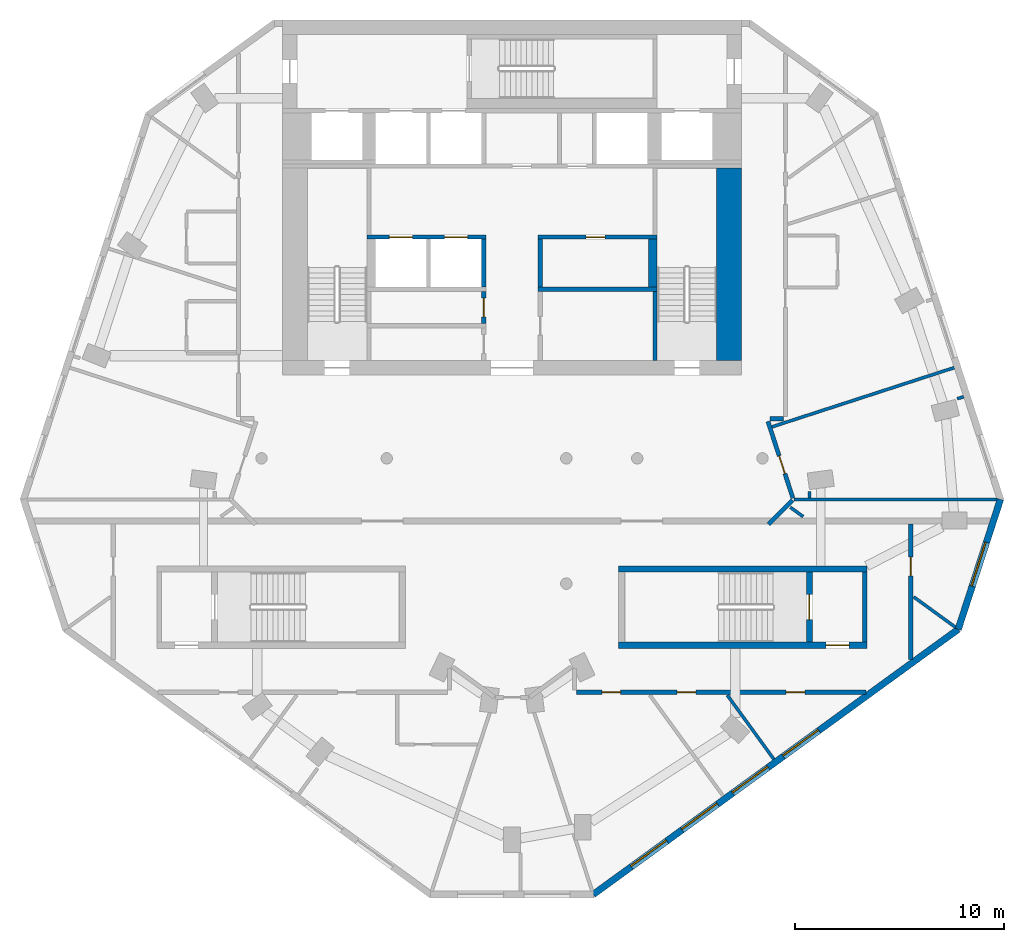
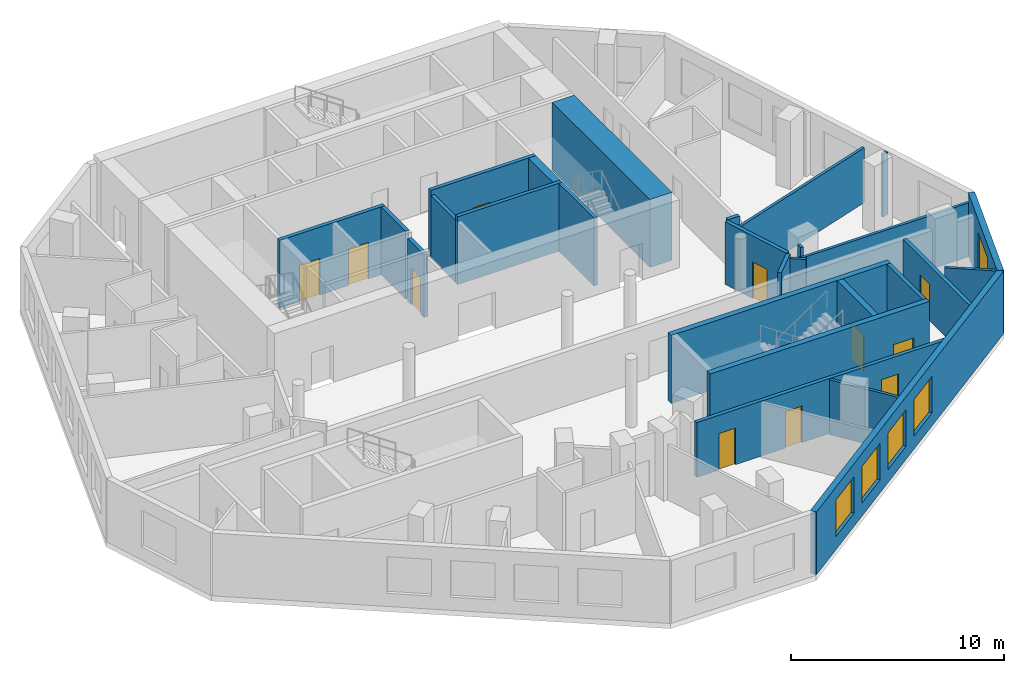
# One storey, part 4 of 8: 27 walls, 11 doors, 5 windows, 16 openings.
"""IFC4 building model written with IfcOpenShell, lengths in metres."""

import ifcopenshell
import ifcopenshell.guid

model = None  # the IFC model being written
_history = None  # IfcOwnerHistory: only IFC2X3 demands one
_inside = {}  # id of a spatial element -> (the spatial element, [elements in it])
_under = {}  # id of a project, library or spatial element -> (it, [spatial elements below it])
_declared = {}  # id of a project -> (the project, [libraries it declares])
_typed = {}  # id of a type object -> (the type object, [elements of that type])
_made_of = {}  # id of a material, layer set ... -> (it, [elements and type objects made of it])


def new_model(schema):
    """Start an empty IFC model of exactly this schema.

    Asked for "IFC4X3", IfcOpenShell would pick the latest addendum, in which some entities
    have other attributes; the version numbers below select the first issue.
    IFC2X3 requires an IfcOwnerHistory on every rooted entity: one is made here for all.
    """
    global model, _history
    if schema == "IFC4X3":
        model = ifcopenshell.file(schema_version=(4, 3, 0, 0))
    else:
        model = ifcopenshell.file(schema=schema)
    _inside.clear()
    _under.clear()
    _declared.clear()
    _typed.clear()
    _made_of.clear()
    _history = None
    if model.schema == "IFC2X3":
        org = make("IfcOrganization", Name="unknown")
        user = make(
            "IfcPersonAndOrganization",
            ThePerson=make("IfcPerson", FamilyName="unknown"),
            TheOrganization=org,
        )
        app = make(
            "IfcApplication",
            ApplicationDeveloper=org,
            Version="unknown",
            ApplicationFullName="unknown",
            ApplicationIdentifier="unknown",
        )
        _history = make(
            "IfcOwnerHistory",
            OwningUser=user,
            OwningApplication=app,
            ChangeAction="ADDED",
            CreationDate=0,
        )
    return model


def make(cls, **values):
    """One entity of the class cls with the attributes given. An attribute that is None is left unset."""
    return model.create_entity(
        cls, **{name: value for name, value in values.items() if value is not None}
    )


def rooted(cls, **values):
    """An entity with a GlobalId (a new one), such as an element, a storey or a relation."""
    return make(cls, GlobalId=ifcopenshell.guid.new(), OwnerHistory=_history, **values)


def si_unit(unit_type, name, prefix=None):
    """IfcSIUnit, for example si_unit("LENGTHUNIT", "METRE", prefix="MILLI")."""
    return make("IfcSIUnit", UnitType=unit_type, Prefix=prefix, Name=name)


def assignment(units):
    """IfcUnitAssignment: the units of a project."""
    return None if units is None else make("IfcUnitAssignment", Units=units)


def point(xyz):
    """IfcCartesianPoint."""
    return None if xyz is None else make("IfcCartesianPoint", Coordinates=xyz)


def direction(xyz):
    """IfcDirection."""
    return None if xyz is None else make("IfcDirection", DirectionRatios=xyz)


def frame(location, z_axis=None, x_axis=None):
    """IfcAxis2Placement3D, a coordinate frame: its origin and axes. An axis left out is left unset."""
    return make(
        "IfcAxis2Placement3D",
        Location=point(location),
        Axis=direction(z_axis),
        RefDirection=direction(x_axis),
    )


def frame_2d(location, x_axis=None):
    """IfcAxis2Placement2D, a coordinate frame in the plane: its origin and x axis."""
    return make(
        "IfcAxis2Placement2D", Location=point(location), RefDirection=direction(x_axis)
    )


def origin():
    """The frame at (0, 0, 0) with its axes left unset."""
    return frame((0.0, 0.0, 0.0))


def place(relative_to, where):
    """IfcLocalPlacement: puts the frame where relative to a parent placement (None: the world)."""
    return make(
        "IfcLocalPlacement", PlacementRelTo=relative_to, RelativePlacement=where
    )


def context(
    kind, dimensions, precision=None, world=None, true_north=None, identifier=None
):
    """IfcGeometricRepresentationContext, for example the 3D "Model" context."""
    return make(
        "IfcGeometricRepresentationContext",
        ContextIdentifier=identifier,
        ContextType=kind,
        CoordinateSpaceDimension=dimensions,
        Precision=precision,
        WorldCoordinateSystem=world,
        TrueNorth=true_north,
    )


def subcontext(parent, identifier, kind, view, scale=None):
    """IfcGeometricRepresentationSubContext, for example "Body" below "Model"."""
    return make(
        "IfcGeometricRepresentationSubContext",
        ContextIdentifier=identifier,
        ContextType=kind,
        ParentContext=parent,
        TargetScale=scale,
        TargetView=view,
    )


def project(units=None, contexts=None):
    """IfcProject with its units and contexts."""
    return rooted(
        "IfcProject",
        Name="project",
        RepresentationContexts=contexts,
        UnitsInContext=assignment(units),
    )


def spatial(cls, under=None, at=None, **own):
    """A site, building, storey or space (cls), placed at a placement, below another one or the project."""
    s = rooted(cls, ObjectPlacement=at, **own)
    if under is not None:
        _under.setdefault(under.id(), (under, []))[1].append(s)
    return s


def profile(cls, at=None, kind="AREA", **sizes):
    """A parametric profile (cls). Its sizes go by their IFC names, for example OverallWidth=200.0."""
    return make(cls, ProfileType=kind, Position=at, **sizes)


def rectangle(**sizes):
    """IfcRectangleProfileDef."""
    return profile("IfcRectangleProfileDef", **sizes)


def extrude(swept, where, along, depth):
    """IfcExtrudedAreaSolid: the profile swept, set in the frame where, extruded along a direction by depth."""
    return make(
        "IfcExtrudedAreaSolid",
        SweptArea=swept,
        Position=where,
        ExtrudedDirection=direction(along),
        Depth=depth,
    )


def shape(context_of_items, identifier, shape_type, items):
    """IfcShapeRepresentation: the items that make up one representation, for example the "Body"."""
    return make(
        "IfcShapeRepresentation",
        ContextOfItems=context_of_items,
        RepresentationIdentifier=identifier,
        RepresentationType=shape_type,
        Items=items,
    )


def material(Name=None, Category=None):
    """IfcMaterial."""
    return make("IfcMaterial", Name=Name, Category=Category)


def layer(
    of_material, thickness, ventilated=None, Name=None, Category=None, Priority=None
):
    """IfcMaterialLayer: one layer of a wall or slab, of a material (None: an air gap)."""
    return make(
        "IfcMaterialLayer",
        Material=of_material,
        LayerThickness=thickness,
        IsVentilated=ventilated,
        Name=Name,
        Category=Category,
        Priority=Priority,
    )


def layer_set(layers, Name=None):
    """IfcMaterialLayerSet."""
    return make("IfcMaterialLayerSet", MaterialLayers=layers, LayerSetName=Name)


def made_of(thing, what):
    """Note that an element or type object is made of a material, layer set ...; save() writes the relation."""
    if what is not None:
        _made_of.setdefault(what.id(), (what, []))[1].append(thing)
    return thing


def type_object(cls, material=None, **own):
    """A type object (cls), such as IfcWallType, which elements share."""
    return made_of(rooted(cls, **own), material)


def element(
    cls,
    number,
    at=None,
    inside=None,
    cuts=None,
    type_object=None,
    material=None,
    context=None,
    identifier="Body",
    shape_type=None,
    held_by="IfcProductDefinitionShape",
    body=None,
    shapes=None,
    **own,
):
    """One element of the class cls, such as IfcWall. Its Tag is "e" and its number.

    at: its placement. inside: the storey or other place that contains it. cuts: it is an
    opening in that element (IfcRelVoidsElement). A single representation is given by context,
    identifier, shape_type and body (its items); several are given by shapes. held_by: the class
    of the entity that holds the representations. save() writes the other relations.
    """
    e = rooted(cls, Tag="e%d" % number, ObjectPlacement=at, **own)
    if body is not None:
        shapes = [shape(context, identifier, shape_type, body)]
    if shapes is not None:
        e.Representation = make(held_by, Representations=shapes)
    if inside is not None:
        _inside.setdefault(inside.id(), (inside, []))[1].append(e)
    if cuts is not None:
        rooted(
            "IfcRelVoidsElement", RelatingBuildingElement=cuts, RelatedOpeningElement=e
        )
    if type_object is not None:
        _typed.setdefault(type_object.id(), (type_object, []))[1].append(e)
    return made_of(e, material)


def fill(opening, filler):
    """IfcRelFillsElement: the door or window that sits in an opening."""
    return rooted(
        "IfcRelFillsElement",
        RelatingOpeningElement=opening,
        RelatedBuildingElement=filler,
    )


def aggregate(whole, parts):
    """IfcRelAggregates: a whole, such as a stair, and the parts it consists of."""
    return rooted("IfcRelAggregates", RelatingObject=whole, RelatedObjects=parts)


def save(model, path):
    """Write the relations noted so far, then the file.

    IfcRelAggregates (storeys below a building ...), IfcRelContainedInSpatialStructure (elements
    in a storey), IfcRelDefinesByType, IfcRelAssociatesMaterial and IfcRelDeclares: one each for
    every whole, place, type object, material and project.
    """
    for whole, parts in _under.values():
        aggregate(whole, parts)
    for where, things in _inside.values():
        rooted(
            "IfcRelContainedInSpatialStructure",
            RelatedElements=things,
            RelatingStructure=where,
        )
    for kind, things in _typed.values():
        rooted("IfcRelDefinesByType", RelatedObjects=things, RelatingType=kind)
    for what, things in _made_of.values():
        rooted("IfcRelAssociatesMaterial", RelatedObjects=things, RelatingMaterial=what)
    for by, libraries in _declared.values():
        rooted("IfcRelDeclares", RelatingContext=by, RelatedDefinitions=libraries)
    model.write(path)


model = new_model("IFC4")

# Units and contexts
model_context = context("Model", 3, precision=1e-05, world=origin(), true_north=direction((0.0, 1.0)))
body_context = subcontext(model_context, "Body", "Model", "MODEL_VIEW")
ifc_project = project(units=[si_unit("LENGTHUNIT", "METRE"), si_unit("AREAUNIT", "SQUARE_METRE"), si_unit("VOLUMEUNIT", "CUBIC_METRE"), si_unit("PLANEANGLEUNIT", "RADIAN"), si_unit("MASSUNIT", "GRAM", prefix="KILO")], contexts=[model_context])

# Site, building, storey
site_placement = place(None, origin())
site = spatial("IfcSite", under=ifc_project, at=site_placement, CompositionType="ELEMENT")
building_placement = place(site_placement, origin())
building = spatial("IfcBuilding", under=site, at=building_placement, Name="White Candle Pilgrim Tower", CompositionType="ELEMENT")
storey_placement = place(building_placement, frame((0.0, 0.0, 263.89990234375)))
storey = spatial("IfcBuildingStorey", under=building, at=storey_placement, Name="L62", CompositionType="ELEMENT", Elevation=263.89990234375)

# Walls
ifc_material_1 = material(Name="Concrete C50/60", Category="concrete")
ifc_layer_1 = layer(ifc_material_1, 0.199951171875)
ifc_layer_set_1 = layer_set([ifc_layer_1], Name="Core wall 200 mm Concrete C50/60")
wall_type_1 = type_object("IfcWallType", Name="Core wall 200 mm Concrete C50/60", PredefinedType="SHEAR", material=ifc_layer_set_1)
wall_1_placement = place(storey_placement, frame((86.89990234375, 58.199951171875, 0.0), z_axis=(0.0, 0.0, 1.0), x_axis=(0.0, 1.0, 0.0)))
element("IfcWall", 1, at=wall_1_placement, inside=storey, type_object=wall_type_1, Name="WL-L62-C08", PredefinedType="SHEAR", context=body_context, shape_type="SweptSolid", body=[
    extrude(rectangle(XDim=3.35009765625, YDim=0.199951171875, at=frame_2d((1.675048828125, 0.0))), origin(), (0.0, 0.0, 1.0), 3.900146484375),
])
ifc_material_2 = material(Name="Gypsum board on steel studs", Category="steel")
ifc_layer_2 = layer(ifc_material_2, 0.199951171875)
ifc_layer_set_2 = layer_set([ifc_layer_2], Name="Corridor wall 200 mm EI 45")
wall_type_2 = type_object("IfcWallType", Name="Corridor wall 200 mm EI 45", PredefinedType="PARTITIONING", material=ifc_layer_set_2)
wall_2_placement = place(storey_placement, frame((83.0, 68.89990234375, 0.0), z_axis=(0.0, 0.0, 1.0), x_axis=(-1.0, 0.0, 0.0)))
element("IfcWall", 2, at=wall_2_placement, inside=storey, type_object=wall_type_2, Name="WL-L62-P008", PredefinedType="PARTITIONING", context=body_context, shape_type="SweptSolid", body=[
    extrude(rectangle(XDim=0.64208984375, YDim=0.199951171875, at=frame_2d((0.321044921875, 0.0))), origin(), (0.0, 0.0, 1.0), 3.60009765625),
])

# Wall, opening, door
wall_3_placement = place(storey_placement, frame((82.2626953125, 68.76904296875, 0.0), z_axis=(0.0, 0.0, 1.0), x_axis=(0.309050338142, -0.951045681602, 0.0)))
wall_3 = element("IfcWall", 3, at=wall_3_placement, inside=storey, type_object=wall_type_2, Name="WL-L62-P009", PredefinedType="PARTITIONING", context=body_context, shape_type="SweptSolid", body=[
    extrude(rectangle(XDim=3.862060546875, YDim=0.199951171875, at=frame_2d((1.93115234375, 0.0))), origin(), (0.0, 0.0, 1.0), 3.60009765625),
])
opening_1_placement = place(wall_3_placement, frame((1.731201171875, 0.0, 0.0)))
opening_1 = element("IfcOpeningElement", 4, at=opening_1_placement, cuts=wall_3, Name="Opening T19-121", PredefinedType="OPENING", context=body_context, shape_type="SweptSolid", body=[
    extrude(rectangle(XDim=0.89990234375, YDim=2.10009765625, at=frame_2d((0.449951171875, 1.050048828125))), frame((0.0, 0.10986328125, 0.0), z_axis=(0.0, -1.0, 0.0), x_axis=(1.0, 0.0, 0.0)), (0.0, 0.0, 1.0), 0.219970703125),
])
ifc_material_3 = material(Name="Steel door leaf", Category="steel")
door_type_1 = type_object("IfcDoorType", Name="Fire door 900 x 2100 EI 30", OperationType="NOTDEFINED", PredefinedType="DOOR", material=ifc_material_3)
door_1_placement = place(opening_1_placement, origin())
door_1 = element("IfcDoor", 5, at=door_1_placement, inside=storey, type_object=door_type_1, Name="Door T19-121", OperationType="SINGLE_SWING_LEFT", OverallHeight=2.10009765625, OverallWidth=0.89990234375, PredefinedType="DOOR", context=body_context, shape_type="SweptSolid", body=[
    extrude(rectangle(XDim=0.89990234375, YDim=2.10009765625, at=frame_2d((0.449951171875, 1.050048828125))), frame((0.0, 0.02490234375, 0.0), z_axis=(0.0, -1.0, 0.0), x_axis=(1.0, 0.0, 0.0)), (0.0, 0.0, 1.0), 0.050048828125),
])
fill(opening_1, door_1)

# Wall
wall_4_placement = place(storey_placement, frame((83.431884765625, 64.994384765625, 0.0), z_axis=(0.0, 0.0, 1.0), x_axis=(-0.70635124515, -0.707861510802, 0.0)))
element("IfcWall", 6, at=wall_4_placement, inside=storey, type_object=wall_type_2, Name="WL-L62-P010", PredefinedType="PARTITIONING", context=body_context, shape_type="SweptSolid", body=[
    extrude(rectangle(XDim=1.616455078125, YDim=0.199951171875, at=frame_2d((0.80810546875, 0.0))), origin(), (0.0, 0.0, 1.0), 3.60009765625),
])

# Wall, opening, door
wall_5_placement = place(storey_placement, frame((89.10009765625, 63.85009765625, 0.0), z_axis=(0.0, 0.0, 1.0), x_axis=(0.0, -1.0, 0.0)))
wall_5 = element("IfcWall", 7, at=wall_5_placement, inside=storey, type_object=wall_type_2, Name="WL-L62-P011", PredefinedType="PARTITIONING", context=body_context, shape_type="SweptSolid", body=[
    extrude(rectangle(XDim=6.49560546875, YDim=0.199951171875, at=frame_2d((3.247802734375, 0.0))), origin(), (0.0, 0.0, 1.0), 3.150146484375),
])
opening_2_placement = place(wall_5_placement, frame((1.580810546875, 0.0, 0.0)))
opening_2 = element("IfcOpeningElement", 8, at=opening_2_placement, cuts=wall_5, Name="Opening T19-122", PredefinedType="OPENING", context=body_context, shape_type="SweptSolid", body=[
    extrude(rectangle(XDim=0.89990234375, YDim=2.10009765625, at=frame_2d((0.449951171875, 1.050048828125))), frame((0.0, 0.10986328125, 0.0), z_axis=(0.0, -1.0, 0.0), x_axis=(1.0, 0.0, 0.0)), (0.0, 0.0, 1.0), 0.219970703125),
])
door_2_placement = place(opening_2_placement, origin())
door_2 = element("IfcDoor", 9, at=door_2_placement, inside=storey, type_object=door_type_1, Name="Door T19-122", OperationType="SINGLE_SWING_RIGHT", OverallHeight=2.10009765625, OverallWidth=0.89990234375, PredefinedType="DOOR", context=body_context, shape_type="SweptSolid", body=[
    extrude(rectangle(XDim=0.89990234375, YDim=2.10009765625, at=frame_2d((0.449951171875, 1.050048828125))), frame((0.0, 0.02490234375, 0.0), z_axis=(0.0, -1.0, 0.0), x_axis=(1.0, 0.0, 0.0)), (0.0, 0.0, 1.0), 0.050048828125),
])
fill(opening_2, door_2)

# Wall, openings, doors
wall_6_placement = place(storey_placement, frame((86.96044921875, 55.800048828125, 0.0), z_axis=(0.0, 0.0, 1.0), x_axis=(-1.0, 0.0, 0.0)))
wall_6 = element("IfcWall", 10, at=wall_6_placement, inside=storey, type_object=wall_type_2, Name="WL-L62-P012", PredefinedType="PARTITIONING", context=body_context, shape_type="SweptSolid", body=[
    extrude(rectangle(XDim=13.8603515625, YDim=0.199951171875, at=frame_2d((6.93017578125, 0.0))), origin(), (0.0, 0.0, 1.0), 3.150146484375),
])
opening_3_placement = place(wall_6_placement, frame((11.759521484375, 0.0, 0.0)))
opening_3 = element("IfcOpeningElement", 11, at=opening_3_placement, cuts=wall_6, Name="Opening T19-107", PredefinedType="OPENING", context=body_context, shape_type="SweptSolid", body=[
    extrude(rectangle(XDim=0.89990234375, YDim=2.10009765625, at=frame_2d((0.449951171875, 1.050048828125))), frame((0.0, 0.10986328125, 0.0), z_axis=(0.0, -1.0, 0.0), x_axis=(1.0, 0.0, 0.0)), (0.0, 0.0, 1.0), 0.219970703125),
])
opening_4_placement = place(wall_6_placement, frame((8.15478515625, 0.0, 0.0)))
opening_4 = element("IfcOpeningElement", 12, at=opening_4_placement, cuts=wall_6, Name="Opening T19-108", PredefinedType="OPENING", context=body_context, shape_type="SweptSolid", body=[
    extrude(rectangle(XDim=0.89990234375, YDim=2.10009765625, at=frame_2d((0.449951171875, 1.050048828125))), frame((0.0, 0.10986328125, 0.0), z_axis=(0.0, -1.0, 0.0), x_axis=(1.0, 0.0, 0.0)), (0.0, 0.0, 1.0), 0.219970703125),
])
opening_5_placement = place(wall_6_placement, frame((2.92529296875, 0.0, 0.0)))
opening_5 = element("IfcOpeningElement", 13, at=opening_5_placement, cuts=wall_6, Name="Opening T19-109", PredefinedType="OPENING", context=body_context, shape_type="SweptSolid", body=[
    extrude(rectangle(XDim=0.89990234375, YDim=2.10009765625, at=frame_2d((0.449951171875, 1.050048828125))), frame((0.0, 0.10986328125, 0.0), z_axis=(0.0, -1.0, 0.0), x_axis=(1.0, 0.0, 0.0)), (0.0, 0.0, 1.0), 0.219970703125),
])
door_3_placement = place(opening_3_placement, origin())
door_3 = element("IfcDoor", 14, at=door_3_placement, inside=storey, type_object=door_type_1, Name="Door T19-107", OperationType="SINGLE_SWING_LEFT", OverallHeight=2.10009765625, OverallWidth=0.89990234375, PredefinedType="DOOR", context=body_context, shape_type="SweptSolid", body=[
    extrude(rectangle(XDim=0.89990234375, YDim=2.10009765625, at=frame_2d((0.449951171875, 1.050048828125))), frame((0.0, 0.02490234375, 0.0), z_axis=(0.0, -1.0, 0.0), x_axis=(1.0, 0.0, 0.0)), (0.0, 0.0, 1.0), 0.050048828125),
])
fill(opening_3, door_3)
door_4_placement = place(opening_4_placement, origin())
door_4 = element("IfcDoor", 15, at=door_4_placement, inside=storey, type_object=door_type_1, Name="Door T19-108", OperationType="SINGLE_SWING_RIGHT", OverallHeight=2.10009765625, OverallWidth=0.89990234375, PredefinedType="DOOR", context=body_context, shape_type="SweptSolid", body=[
    extrude(rectangle(XDim=0.89990234375, YDim=2.10009765625, at=frame_2d((0.449951171875, 1.050048828125))), frame((0.0, 0.02490234375, 0.0), z_axis=(0.0, -1.0, 0.0), x_axis=(1.0, 0.0, 0.0)), (0.0, 0.0, 1.0), 0.050048828125),
])
fill(opening_4, door_4)
door_5_placement = place(opening_5_placement, origin())
door_5 = element("IfcDoor", 16, at=door_5_placement, inside=storey, type_object=door_type_1, Name="Door T19-109", OperationType="SINGLE_SWING_LEFT", OverallHeight=2.10009765625, OverallWidth=0.89990234375, PredefinedType="DOOR", context=body_context, shape_type="SweptSolid", body=[
    extrude(rectangle(XDim=0.89990234375, YDim=2.10009765625, at=frame_2d((0.449951171875, 1.050048828125))), frame((0.0, 0.02490234375, 0.0), z_axis=(0.0, -1.0, 0.0), x_axis=(1.0, 0.0, 0.0)), (0.0, 0.0, 1.0), 0.050048828125),
])
fill(opening_5, door_5)

# Wall, openings, windows
ifc_material_4 = material(Name="Precast concrete C40/50", Category="concrete")
ifc_layer_3 = layer(ifc_material_4, 0.320068359375)
ifc_layer_set_3 = layer_set([ifc_layer_3], Name="Facade wall EW1 precast concrete C40/50 pier wall with timber-lined reveals")
wall_type_3 = type_object("IfcWallType", Name="Facade wall EW1 precast concrete C40/50 pier wall with timber-lined reveals", PredefinedType="SOLIDWALL", material=ifc_layer_set_3)
wall_7_placement = place(storey_placement, frame((73.894287109375, 46.109130859375, 0.0), z_axis=(0.0, 0.0, 1.0), x_axis=(0.809016403759, 0.587786065205, 0.0)))
wall_7 = element("IfcWall", 17, at=wall_7_placement, inside=storey, type_object=wall_type_3, Name="Facade wall L62 SE", PredefinedType="SOLIDWALL", context=body_context, shape_type="SweptSolid", body=[
    extrude(rectangle(XDim=21.611083984375, YDim=0.320068359375, at=frame_2d((10.8056640625, 0.0))), origin(), (0.0, 0.0, 1.0), 3.60009765625),
])
opening_6_placement = place(wall_7_placement, frame((2.255615234375, 0.0, 0.75)))
opening_6 = element("IfcOpeningElement", 18, at=opening_6_placement, cuts=wall_7, Name="Opening W3", PredefinedType="OPENING", context=body_context, shape_type="SweptSolid", body=[
    extrude(rectangle(XDim=2.10009765625, YDim=2.10009765625, at=frame_2d((1.050048828125, 1.050048828125))), frame((0.0, 0.169921875, 0.0), z_axis=(0.0, -1.0, 0.0), x_axis=(1.0, 0.0, 0.0)), (0.0, 0.0, 1.0), 0.340087890625),
])
opening_7_placement = place(wall_7_placement, frame((5.255615234375, 0.0, 0.75)))
opening_7 = element("IfcOpeningElement", 19, at=opening_7_placement, cuts=wall_7, Name="Opening W3", PredefinedType="OPENING", context=body_context, shape_type="SweptSolid", body=[
    extrude(rectangle(XDim=2.10009765625, YDim=2.10009765625, at=frame_2d((1.050048828125, 1.050048828125))), frame((0.0, 0.169921875, 0.0), z_axis=(0.0, -1.0, 0.0), x_axis=(1.0, 0.0, 0.0)), (0.0, 0.0, 1.0), 0.340087890625),
])
opening_8_placement = place(wall_7_placement, frame((8.255615234375, 0.0, 0.75)))
opening_8 = element("IfcOpeningElement", 20, at=opening_8_placement, cuts=wall_7, Name="Opening W3", PredefinedType="OPENING", context=body_context, shape_type="SweptSolid", body=[
    extrude(rectangle(XDim=2.10009765625, YDim=2.10009765625, at=frame_2d((1.050048828125, 1.050048828125))), frame((0.0, 0.169921875, 0.0), z_axis=(0.0, -1.0, 0.0), x_axis=(1.0, 0.0, 0.0)), (0.0, 0.0, 1.0), 0.340087890625),
])
opening_9_placement = place(wall_7_placement, frame((11.255615234375, 0.0, 0.75)))
opening_9 = element("IfcOpeningElement", 21, at=opening_9_placement, cuts=wall_7, Name="Opening W3", PredefinedType="OPENING", context=body_context, shape_type="SweptSolid", body=[
    extrude(rectangle(XDim=2.10009765625, YDim=2.10009765625, at=frame_2d((1.050048828125, 1.050048828125))), frame((0.0, 0.169921875, 0.0), z_axis=(0.0, -1.0, 0.0), x_axis=(1.0, 0.0, 0.0)), (0.0, 0.0, 1.0), 0.340087890625),
])
ifc_material_5 = material(Name="Timber frame with triple glazing", Category="wood")
window_type_1 = type_object("IfcWindowType", Name="Window W3 2100x2100 timber frame triple glazing", PartitioningType="SINGLE_PANEL", PredefinedType="WINDOW", material=ifc_material_5)
window_1_placement = place(opening_6_placement, origin())
window_1 = element("IfcWindow", 22, at=window_1_placement, inside=storey, type_object=window_type_1, Name="Window W3 L62 SE 1", OverallHeight=2.10009765625, OverallWidth=2.10009765625, PartitioningType="SINGLE_PANEL", PredefinedType="WINDOW", context=body_context, shape_type="SweptSolid", body=[
    extrude(rectangle(XDim=2.10009765625, YDim=2.10009765625, at=frame_2d((1.050048828125, 1.050048828125))), frame((0.0, 0.070068359375, 0.0), z_axis=(0.0, -1.0, 0.0), x_axis=(1.0, 0.0, 0.0)), (0.0, 0.0, 1.0), 0.06005859375),
])
fill(opening_6, window_1)
window_2_placement = place(opening_7_placement, origin())
window_2 = element("IfcWindow", 23, at=window_2_placement, inside=storey, type_object=window_type_1, Name="Window W3 L62 SE 2", OverallHeight=2.10009765625, OverallWidth=2.10009765625, PartitioningType="SINGLE_PANEL", PredefinedType="WINDOW", context=body_context, shape_type="SweptSolid", body=[
    extrude(rectangle(XDim=2.10009765625, YDim=2.10009765625, at=frame_2d((1.050048828125, 1.050048828125))), frame((0.0, 0.070068359375, 0.0), z_axis=(0.0, -1.0, 0.0), x_axis=(1.0, 0.0, 0.0)), (0.0, 0.0, 1.0), 0.06005859375),
])
fill(opening_7, window_2)
window_3_placement = place(opening_8_placement, origin())
window_3 = element("IfcWindow", 24, at=window_3_placement, inside=storey, type_object=window_type_1, Name="Window W3 L62 SE 3", OverallHeight=2.10009765625, OverallWidth=2.10009765625, PartitioningType="SINGLE_PANEL", PredefinedType="WINDOW", context=body_context, shape_type="SweptSolid", body=[
    extrude(rectangle(XDim=2.10009765625, YDim=2.10009765625, at=frame_2d((1.050048828125, 1.050048828125))), frame((0.0, 0.070068359375, 0.0), z_axis=(0.0, -1.0, 0.0), x_axis=(1.0, 0.0, 0.0)), (0.0, 0.0, 1.0), 0.06005859375),
])
fill(opening_8, window_3)
window_4_placement = place(opening_9_placement, origin())
window_4 = element("IfcWindow", 25, at=window_4_placement, inside=storey, type_object=window_type_1, Name="Window W3 L62 SE 4", OverallHeight=2.10009765625, OverallWidth=2.10009765625, PartitioningType="SINGLE_PANEL", PredefinedType="WINDOW", context=body_context, shape_type="SweptSolid", body=[
    extrude(rectangle(XDim=2.10009765625, YDim=2.10009765625, at=frame_2d((1.050048828125, 1.050048828125))), frame((0.0, 0.070068359375, 0.0), z_axis=(0.0, -1.0, 0.0), x_axis=(1.0, 0.0, 0.0)), (0.0, 0.0, 1.0), 0.06005859375),
])
fill(opening_9, window_4)

# Wall, opening, window
wall_8_placement = place(storey_placement, frame((91.3779296875, 58.811767578125, 0.0), z_axis=(0.0, 0.0, 1.0), x_axis=(0.309024511065, 0.951054073942, 0.0)))
wall_8 = element("IfcWall", 26, at=wall_8_placement, inside=storey, type_object=wall_type_3, Name="Facade wall L62 E chamfer", PredefinedType="SOLIDWALL", context=body_context, shape_type="SweptSolid", body=[
    extrude(rectangle(XDim=6.546142578125, YDim=0.320068359375, at=frame_2d((3.27294921875, 0.0))), origin(), (0.0, 0.0, 1.0), 3.60009765625),
])
opening_10_placement = place(wall_8_placement, frame((2.173095703125, 0.0, 0.75)))
opening_10 = element("IfcOpeningElement", 27, at=opening_10_placement, cuts=wall_8, Name="Opening W4", PredefinedType="OPENING", context=body_context, shape_type="SweptSolid", body=[
    extrude(rectangle(XDim=2.199951171875, YDim=2.10009765625, at=frame_2d((1.10009765625, 1.050048828125))), frame((0.0, 0.169921875, 0.0), z_axis=(0.0, -1.0, 0.0), x_axis=(1.0, 0.0, 0.0)), (0.0, 0.0, 1.0), 0.340087890625),
])
window_type_2 = type_object("IfcWindowType", Name="Window W4 2200x2100 timber frame triple glazing", PartitioningType="SINGLE_PANEL", PredefinedType="WINDOW", material=ifc_material_5)
window_5_placement = place(opening_10_placement, origin())
window_5 = element("IfcWindow", 28, at=window_5_placement, inside=storey, type_object=window_type_2, Name="Window W4 L62 E chamfer 1", OverallHeight=2.10009765625, OverallWidth=2.199951171875, PartitioningType="SINGLE_PANEL", PredefinedType="WINDOW", context=body_context, shape_type="SweptSolid", body=[
    extrude(rectangle(XDim=2.199951171875, YDim=2.10009765625, at=frame_2d((1.10009765625, 1.050048828125))), frame((0.0, 0.070068359375, 0.0), z_axis=(0.0, -1.0, 0.0), x_axis=(1.0, 0.0, 0.0)), (0.0, 0.0, 1.0), 0.06005859375),
])
fill(opening_10, window_5)

# Wall, opening, door
ifc_layer_4 = layer(ifc_material_2, 0.199951171875)
ifc_layer_set_4 = layer_set([ifc_layer_4], Name="Lobby wall 200 mm EI 60")
wall_type_4 = type_object("IfcWallType", Name="Lobby wall 200 mm EI 60", PredefinedType="PARTITIONING", material=ifc_layer_set_4)
wall_9_placement = place(storey_placement, frame((68.64990234375, 73.449951171875, 0.0), z_axis=(0.0, 0.0, 1.0), x_axis=(0.0, 1.0, 0.0)))
wall_9 = element("IfcWall", 29, at=wall_9_placement, inside=storey, type_object=wall_type_4, Name="WL-L62-C20", PredefinedType="PARTITIONING", context=body_context, shape_type="SweptSolid", body=[
    extrude(rectangle(XDim=1.550048828125, YDim=0.199951171875, at=frame_2d((0.77490234375, 0.0))), origin(), (0.0, 0.0, 1.0), 3.60009765625),
])
opening_11_placement = place(wall_9_placement, frame((0.324951171875, 0.0, 0.0)))
opening_11 = element("IfcOpeningElement", 30, at=opening_11_placement, cuts=wall_9, Name="Opening T19-006", PredefinedType="OPENING", context=body_context, shape_type="SweptSolid", body=[
    extrude(rectangle(XDim=0.89990234375, YDim=2.10009765625, at=frame_2d((0.449951171875, 1.050048828125))), frame((0.0, 0.10986328125, 0.0), z_axis=(0.0, -1.0, 0.0), x_axis=(1.0, 0.0, 0.0)), (0.0, 0.0, 1.0), 0.219970703125),
])
door_6_placement = place(opening_11_placement, origin())
door_6 = element("IfcDoor", 31, at=door_6_placement, inside=storey, type_object=door_type_1, Name="Door T19-006", OperationType="SINGLE_SWING_RIGHT", OverallHeight=2.10009765625, OverallWidth=0.89990234375, PredefinedType="DOOR", context=body_context, shape_type="SweptSolid", body=[
    extrude(rectangle(XDim=0.89990234375, YDim=2.10009765625, at=frame_2d((0.449951171875, 1.050048828125))), frame((0.0, 0.02490234375, 0.0), z_axis=(0.0, -1.0, 0.0), x_axis=(1.0, 0.0, 0.0)), (0.0, 0.0, 1.0), 0.050048828125),
])
fill(opening_11, door_6)

# Walls
wall_10_placement = place(storey_placement, frame((71.35009765625, 75.199951171875, 0.0), z_axis=(0.0, 0.0, 1.0), x_axis=(0.0, 1.0, 0.0)))
element("IfcWall", 32, at=wall_10_placement, inside=storey, type_object=wall_type_4, Name="WL-L62-C26", PredefinedType="PARTITIONING", context=body_context, shape_type="SweptSolid", body=[
    extrude(rectangle(XDim=2.300048828125, YDim=0.199951171875, at=frame_2d((1.14990234375, 0.0))), origin(), (0.0, 0.0, 1.0), 3.60009765625),
])
ifc_layer_5 = layer(ifc_material_2, 0.14990234375)
ifc_layer_set_5 = layer_set([ifc_layer_5], Name="Partition 150 mm EI 60")
wall_type_5 = type_object("IfcWallType", Name="Partition 150 mm EI 60", PredefinedType="PARTITIONING", material=ifc_layer_set_5)
wall_11_placement = place(storey_placement, frame((91.241943359375, 58.91064453125, 0.0), z_axis=(0.0, 0.0, 1.0), x_axis=(-0.808983967864, 0.587830706699, 0.0)))
element("IfcWall", 33, at=wall_11_placement, inside=storey, type_object=wall_type_5, Name="WL-L62-P025", PredefinedType="PARTITIONING", context=body_context, shape_type="SweptSolid", body=[
    extrude(rectangle(XDim=2.469482421875, YDim=0.14990234375, at=frame_2d((1.23486328125, 0.0))), origin(), (0.0, 0.0, 1.0), 3.60009765625),
])
wall_12_placement = place(storey_placement, frame((83.947021484375, 64.210693359375, 0.0), z_axis=(0.0, 0.0, 1.0), x_axis=(-0.808985495234, 0.587828604698, 0.0)))
element("IfcWall", 34, at=wall_12_placement, inside=storey, type_object=wall_type_5, Name="WL-L62-P026", PredefinedType="PARTITIONING", context=body_context, shape_type="SweptSolid", body=[
    extrude(rectangle(XDim=0.76171875, YDim=0.14990234375, at=frame_2d((0.380859375, 0.0))), origin(), (0.0, 0.0, 1.0), 3.60009765625),
])
wall_13_placement = place(storey_placement, frame((93.232666015625, 65.03759765625, 0.0), z_axis=(0.0, 0.0, 1.0), x_axis=(-1.0, 0.0, 0.0)))
element("IfcWall", 35, at=wall_13_placement, inside=storey, type_object=wall_type_5, Name="WL-L62-P027", PredefinedType="PARTITIONING", context=body_context, shape_type="SweptSolid", body=[
    extrude(rectangle(XDim=9.724853515625, YDim=0.14990234375, at=frame_2d((4.8623046875, 0.0))), origin(), (0.0, 0.0, 1.0), 3.10009765625),
])
wall_14_placement = place(storey_placement, frame((82.5419921875, 52.58984375, 0.0), z_axis=(0.0, 0.0, 1.0), x_axis=(-0.587757946998, 0.809036832129, 0.0)))
element("IfcWall", 36, at=wall_14_placement, inside=storey, type_object=wall_type_5, Name="WL-L62-P041", PredefinedType="PARTITIONING", context=body_context, shape_type="SweptSolid", body=[
    extrude(rectangle(XDim=3.789794921875, YDim=0.14990234375, at=frame_2d((1.89501953125, 0.0))), origin(), (0.0, 0.0, 1.0), 3.150146484375),
])
wall_15_placement = place(storey_placement, frame((91.18310546875, 71.345458984375, 0.0), z_axis=(0.0, 0.0, 1.0), x_axis=(-0.951060058909, -0.309006091118, 0.0)))
element("IfcWall", 37, at=wall_15_placement, inside=storey, type_object=wall_type_5, Name="WL-L62-P042", PredefinedType="PARTITIONING", context=body_context, shape_type="SweptSolid", body=[
    extrude(rectangle(XDim=9.179931640625, YDim=0.14990234375, at=frame_2d((4.58984375, 0.0))), origin(), (0.0, 0.0, 1.0), 3.150146484375),
])
wall_16_placement = place(storey_placement, frame((91.327392578125, 69.855712890625, 0.0), z_axis=(0.0, 0.0, 1.0), x_axis=(0.951072921112, 0.308966500981, 0.0)))
element("IfcWall", 38, at=wall_16_placement, inside=storey, type_object=wall_type_5, Name="WL-L62-P049", PredefinedType="PARTITIONING", context=body_context, shape_type="SweptSolid", body=[
    extrude(rectangle(XDim=0.3232421875, YDim=0.14990234375, at=frame_2d((0.16162109375, 0.0))), origin(), (0.0, 0.0, 1.0), 3.60009765625),
])
wall_17_placement = place(storey_placement, frame((84.250732421875, 65.4140625, 0.0), z_axis=(0.0, 0.0, 1.0), x_axis=(0.0, -1.0, 0.0)))
element("IfcWall", 39, at=wall_17_placement, inside=storey, type_object=wall_type_5, Name="WL-L62-P052", PredefinedType="PARTITIONING", context=body_context, shape_type="SweptSolid", body=[
    extrude(rectangle(XDim=0.30126953125, YDim=0.14990234375, at=frame_2d((0.150634765625, 0.0))), origin(), (0.0, 0.0, 1.0), 3.60009765625),
])
ifc_layer_6 = layer(ifc_material_1, 0.199951171875)
ifc_layer_set_6 = layer_set([ifc_layer_6], Name="Shaft wall 200 mm Concrete C50/60")
wall_type_6 = type_object("IfcWallType", Name="Shaft wall 200 mm Concrete C50/60", PredefinedType="SHEAR", material=ifc_layer_set_6)
wall_18_placement = place(storey_placement, frame((68.64990234375, 75.199951171875, 0.0), z_axis=(0.0, 0.0, 1.0), x_axis=(0.0, 1.0, 0.0)))
element("IfcWall", 40, at=wall_18_placement, inside=storey, type_object=wall_type_6, Name="WL-L62-C25", PredefinedType="SHEAR", context=body_context, shape_type="SweptSolid", body=[
    extrude(rectangle(XDim=2.300048828125, YDim=0.199951171875, at=frame_2d((1.14990234375, 0.0))), origin(), (0.0, 0.0, 1.0), 3.900146484375),
])
ifc_layer_7 = layer(ifc_material_1, 1.199951171875)
ifc_layer_set_7 = layer_set([ifc_layer_7], Name="Stair shaft wall 1200 mm Concrete C50/60")
wall_type_7 = type_object("IfcWallType", Name="Stair shaft wall 1200 mm Concrete C50/60", PredefinedType="SHEAR", material=ifc_layer_set_7)
wall_19_placement = place(storey_placement, frame((80.39990234375, 71.699951171875, 0.0), z_axis=(0.0, 0.0, 1.0), x_axis=(0.0, 1.0, 0.0)))
element("IfcWall", 41, at=wall_19_placement, inside=storey, type_object=wall_type_7, Name="WL-L62-C17", PredefinedType="SHEAR", context=body_context, shape_type="SweptSolid", body=[
    extrude(rectangle(XDim=9.199951171875, YDim=1.199951171875, at=frame_2d((4.60009765625, 0.0))), origin(), (0.0, 0.0, 1.0), 3.900146484375),
])
ifc_layer_8 = layer(ifc_material_1, 0.199951171875)
ifc_layer_set_8 = layer_set([ifc_layer_8], Name="Stair shaft wall 200 mm Concrete C50/60")
wall_type_8 = type_object("IfcWallType", Name="Stair shaft wall 200 mm Concrete C50/60", PredefinedType="SHEAR", material=ifc_layer_set_8)
wall_20_placement = place(storey_placement, frame((76.85009765625, 71.699951171875, 0.0), z_axis=(0.0, 0.0, 1.0), x_axis=(0.0, 1.0, 0.0)))
element("IfcWall", 42, at=wall_20_placement, inside=storey, type_object=wall_type_8, Name="WL-L62-C16", PredefinedType="SHEAR", context=body_context, shape_type="SweptSolid", body=[
    extrude(rectangle(XDim=3.300048828125, YDim=0.199951171875, at=frame_2d((1.64990234375, 0.0))), origin(), (0.0, 0.0, 1.0), 3.900146484375),
])
wall_21_placement = place(storey_placement, frame((71.25, 75.10009765625, 0.0), z_axis=(0.0, 0.0, 1.0), x_axis=(1.0, 0.0, 0.0)))
element("IfcWall", 43, at=wall_21_placement, inside=storey, type_object=wall_type_8, Name="WL-L62-C22", PredefinedType="SHEAR", context=body_context, shape_type="SweptSolid", body=[
    extrude(rectangle(XDim=5.699951171875, YDim=0.199951171875, at=frame_2d((2.85009765625, 0.0))), origin(), (0.0, 0.0, 1.0), 3.900146484375),
])

# Wall, openings, doors
wall_22_placement = place(storey_placement, frame((63.050048828125, 77.60009765625, 0.0), z_axis=(0.0, 0.0, 1.0), x_axis=(1.0, 0.0, 0.0)))
wall_22 = element("IfcWall", 44, at=wall_22_placement, inside=storey, type_object=wall_type_8, Name="WL-L62-C28", PredefinedType="SHEAR", context=body_context, shape_type="SweptSolid", body=[
    extrude(rectangle(XDim=5.699951171875, YDim=0.199951171875, at=frame_2d((2.85009765625, 0.0))), origin(), (0.0, 0.0, 1.0), 3.900146484375),
])
opening_12_placement = place(wall_22_placement, frame((1.074951171875, 0.0, 0.0)))
opening_12 = element("IfcOpeningElement", 45, at=opening_12_placement, cuts=wall_22, Name="Opening T19-014", PredefinedType="OPENING", context=body_context, shape_type="SweptSolid", body=[
    extrude(rectangle(XDim=1.10009765625, YDim=2.10009765625, at=frame_2d((0.550048828125, 1.050048828125))), frame((0.0, 0.10986328125, 0.0), z_axis=(0.0, -1.0, 0.0), x_axis=(1.0, 0.0, 0.0)), (0.0, 0.0, 1.0), 0.219970703125),
])
opening_13_placement = place(wall_22_placement, frame((3.72509765625, 0.0, 0.0)))
opening_13 = element("IfcOpeningElement", 46, at=opening_13_placement, cuts=wall_22, Name="Opening T19-015", PredefinedType="OPENING", context=body_context, shape_type="SweptSolid", body=[
    extrude(rectangle(XDim=1.10009765625, YDim=2.10009765625, at=frame_2d((0.550048828125, 1.050048828125))), frame((0.0, 0.10986328125, 0.0), z_axis=(0.0, -1.0, 0.0), x_axis=(1.0, 0.0, 0.0)), (0.0, 0.0, 1.0), 0.219970703125),
])
ifc_material_6 = material(Name="Stainless steel", Category="steel")
door_type_2 = type_object("IfcDoorType", Name="Lift landing door 1100 x 2100 E 60", OperationType="DOUBLE_DOOR_SLIDING", PredefinedType="DOOR", material=ifc_material_6)
door_7_placement = place(opening_12_placement, origin())
door_7 = element("IfcDoor", 47, at=door_7_placement, inside=storey, type_object=door_type_2, Name="Door T19-014", OperationType="DOUBLE_DOOR_SLIDING", OverallHeight=2.10009765625, OverallWidth=1.10009765625, PredefinedType="DOOR", context=body_context, shape_type="SweptSolid", body=[
    extrude(rectangle(XDim=1.10009765625, YDim=2.10009765625, at=frame_2d((0.550048828125, 1.050048828125))), frame((0.0, 0.02490234375, 0.0), z_axis=(0.0, -1.0, 0.0), x_axis=(1.0, 0.0, 0.0)), (0.0, 0.0, 1.0), 0.050048828125),
])
fill(opening_12, door_7)
door_8_placement = place(opening_13_placement, origin())
door_8 = element("IfcDoor", 48, at=door_8_placement, inside=storey, type_object=door_type_2, Name="Door T19-015", OperationType="DOUBLE_DOOR_SLIDING", OverallHeight=2.10009765625, OverallWidth=1.10009765625, PredefinedType="DOOR", context=body_context, shape_type="SweptSolid", body=[
    extrude(rectangle(XDim=1.10009765625, YDim=2.10009765625, at=frame_2d((0.550048828125, 1.050048828125))), frame((0.0, 0.02490234375, 0.0), z_axis=(0.0, -1.0, 0.0), x_axis=(1.0, 0.0, 0.0)), (0.0, 0.0, 1.0), 0.050048828125),
])
fill(opening_13, door_8)

# Wall, opening, door
wall_23_placement = place(storey_placement, frame((71.25, 77.60009765625, 0.0), z_axis=(0.0, 0.0, 1.0), x_axis=(1.0, 0.0, 0.0)))
wall_23 = element("IfcWall", 49, at=wall_23_placement, inside=storey, type_object=wall_type_8, Name="WL-L62-C29", PredefinedType="SHEAR", context=body_context, shape_type="SweptSolid", body=[
    extrude(rectangle(XDim=5.699951171875, YDim=0.199951171875, at=frame_2d((2.85009765625, 0.0))), origin(), (0.0, 0.0, 1.0), 3.900146484375),
])
opening_14_placement = place(wall_23_placement, frame((2.300048828125, 0.0, 0.0)))
opening_14 = element("IfcOpeningElement", 50, at=opening_14_placement, cuts=wall_23, Name="Opening T19-020", PredefinedType="OPENING", context=body_context, shape_type="SweptSolid", body=[
    extrude(rectangle(XDim=0.89990234375, YDim=2.10009765625, at=frame_2d((0.449951171875, 1.050048828125))), frame((0.0, 0.10986328125, 0.0), z_axis=(0.0, -1.0, 0.0), x_axis=(1.0, 0.0, 0.0)), (0.0, 0.0, 1.0), 0.219970703125),
])
door_9_placement = place(opening_14_placement, origin())
door_9 = element("IfcDoor", 51, at=door_9_placement, inside=storey, type_object=door_type_1, Name="Door T19-020", OperationType="SINGLE_SWING_RIGHT", OverallHeight=2.10009765625, OverallWidth=0.89990234375, PredefinedType="DOOR", context=body_context, shape_type="SweptSolid", body=[
    extrude(rectangle(XDim=0.89990234375, YDim=2.10009765625, at=frame_2d((0.449951171875, 1.050048828125))), frame((0.0, 0.02490234375, 0.0), z_axis=(0.0, -1.0, 0.0), x_axis=(1.0, 0.0, 0.0)), (0.0, 0.0, 1.0), 0.050048828125),
])
fill(opening_14, door_9)

ifc_layer_9 = layer(ifc_material_1, 0.300048828125)
ifc_layer_set_9 = layer_set([ifc_layer_9], Name="Stair shaft wall 300 mm Concrete C50/60")
wall_type_9 = type_object("IfcWallType", Name="Stair shaft wall 300 mm Concrete C50/60", PredefinedType="SHEAR", material=ifc_layer_set_9)
wall_24_placement = place(storey_placement, frame((75.10009765625, 58.050048828125, 0.0), z_axis=(0.0, 0.0, 1.0), x_axis=(1.0, 0.0, 0.0)))
wall_24 = element("IfcWall", 52, at=wall_24_placement, inside=storey, type_object=wall_type_9, Name="WL-L62-C02", PredefinedType="SHEAR", context=body_context, shape_type="SweptSolid", body=[
    extrude(rectangle(XDim=11.89990234375, YDim=0.300048828125, at=frame_2d((5.949951171875, 0.0))), origin(), (0.0, 0.0, 1.0), 3.900146484375),
])
opening_15_placement = place(wall_24_placement, frame((9.949951171875, 0.0, 0.0)))
opening_15 = element("IfcOpeningElement", 53, at=opening_15_placement, cuts=wall_24, Name="Opening T19-012", PredefinedType="OPENING", context=body_context, shape_type="SweptSolid", body=[
    extrude(rectangle(XDim=1.10009765625, YDim=2.10009765625, at=frame_2d((0.550048828125, 1.050048828125))), frame((0.0, 0.159912109375, 0.0), z_axis=(0.0, -1.0, 0.0), x_axis=(1.0, 0.0, 0.0)), (0.0, 0.0, 1.0), 0.320068359375),
])
door_type_3 = type_object("IfcDoorType", Name="Fire door 1100 x 2100 EI 60", OperationType="NOTDEFINED", PredefinedType="DOOR", material=ifc_material_3)
door_10_placement = place(opening_15_placement, origin())
door_10 = element("IfcDoor", 54, at=door_10_placement, inside=storey, type_object=door_type_3, Name="Door T19-012", OperationType="SINGLE_SWING_RIGHT", OverallHeight=2.10009765625, OverallWidth=1.10009765625, PredefinedType="DOOR", context=body_context, shape_type="SweptSolid", body=[
    extrude(rectangle(XDim=1.10009765625, YDim=2.10009765625, at=frame_2d((0.550048828125, 1.050048828125))), frame((0.0, 0.02490234375, 0.0), z_axis=(0.0, -1.0, 0.0), x_axis=(1.0, 0.0, 0.0)), (0.0, 0.0, 1.0), 0.050048828125),
])
fill(opening_15, door_10)

wall_25_placement = place(storey_placement, frame((84.25, 58.199951171875, 0.0), z_axis=(0.0, 0.0, 1.0), x_axis=(0.0, 1.0, 0.0)))
wall_25 = element("IfcWall", 55, at=wall_25_placement, inside=storey, type_object=wall_type_9, Name="WL-L62-C07", PredefinedType="SHEAR", context=body_context, shape_type="SweptSolid", body=[
    extrude(rectangle(XDim=3.35009765625, YDim=0.300048828125, at=frame_2d((1.675048828125, 0.0))), origin(), (0.0, 0.0, 1.0), 3.900146484375),
])
opening_16_placement = place(wall_25_placement, frame((1.074951171875, 0.0, 0.0)))
opening_16 = element("IfcOpeningElement", 56, at=opening_16_placement, cuts=wall_25, Name="Opening T19-013", PredefinedType="OPENING", context=body_context, shape_type="SweptSolid", body=[
    extrude(rectangle(XDim=1.199951171875, YDim=2.10009765625, at=frame_2d((0.60009765625, 1.050048828125))), frame((0.0, 0.159912109375, 0.0), z_axis=(0.0, -1.0, 0.0), x_axis=(1.0, 0.0, 0.0)), (0.0, 0.0, 1.0), 0.320068359375),
])
door_type_4 = type_object("IfcDoorType", Name="Fire door 1200 x 2100 EI 60", OperationType="NOTDEFINED", PredefinedType="DOOR", material=ifc_material_3)
door_11_placement = place(opening_16_placement, origin())
door_11 = element("IfcDoor", 57, at=door_11_placement, inside=storey, type_object=door_type_4, Name="Door T19-013", OperationType="SINGLE_SWING_LEFT", OverallHeight=2.10009765625, OverallWidth=1.199951171875, PredefinedType="DOOR", context=body_context, shape_type="SweptSolid", body=[
    extrude(rectangle(XDim=1.199951171875, YDim=2.10009765625, at=frame_2d((0.60009765625, 1.050048828125))), frame((0.0, 0.02490234375, 0.0), z_axis=(0.0, -1.0, 0.0), x_axis=(1.0, 0.0, 0.0)), (0.0, 0.0, 1.0), 0.050048828125),
])
fill(opening_16, door_11)

# Walls
wall_26_placement = place(storey_placement, frame((75.10009765625, 61.699951171875, 0.0), z_axis=(0.0, 0.0, 1.0), x_axis=(1.0, 0.0, 0.0)))
element("IfcWall", 58, at=wall_26_placement, inside=storey, type_object=wall_type_9, Name="WL-L62-C10", PredefinedType="SHEAR", context=body_context, shape_type="SweptSolid", body=[
    extrude(rectangle(XDim=11.89990234375, YDim=0.300048828125, at=frame_2d((5.949951171875, 0.0))), origin(), (0.0, 0.0, 1.0), 3.900146484375),
])
ifc_layer_10 = layer(ifc_material_1, 0.39990234375)
ifc_layer_set_10 = layer_set([ifc_layer_10], Name="Stair shaft wall 400 mm Concrete C50/60")
wall_type_10 = type_object("IfcWallType", Name="Stair shaft wall 400 mm Concrete C50/60", PredefinedType="SHEAR", material=ifc_layer_set_10)
wall_27_placement = place(storey_placement, frame((76.75, 75.199951171875, 0.0), z_axis=(0.0, 0.0, 1.0), x_axis=(0.0, 1.0, 0.0)))
element("IfcWall", 59, at=wall_27_placement, inside=storey, type_object=wall_type_10, Name="WL-L62-C27", PredefinedType="SHEAR", context=body_context, shape_type="SweptSolid", body=[
    extrude(rectangle(XDim=2.300048828125, YDim=0.39990234375, at=frame_2d((1.14990234375, 0.0))), origin(), (0.0, 0.0, 1.0), 3.900146484375),
])

save(model, "model.ifc")
